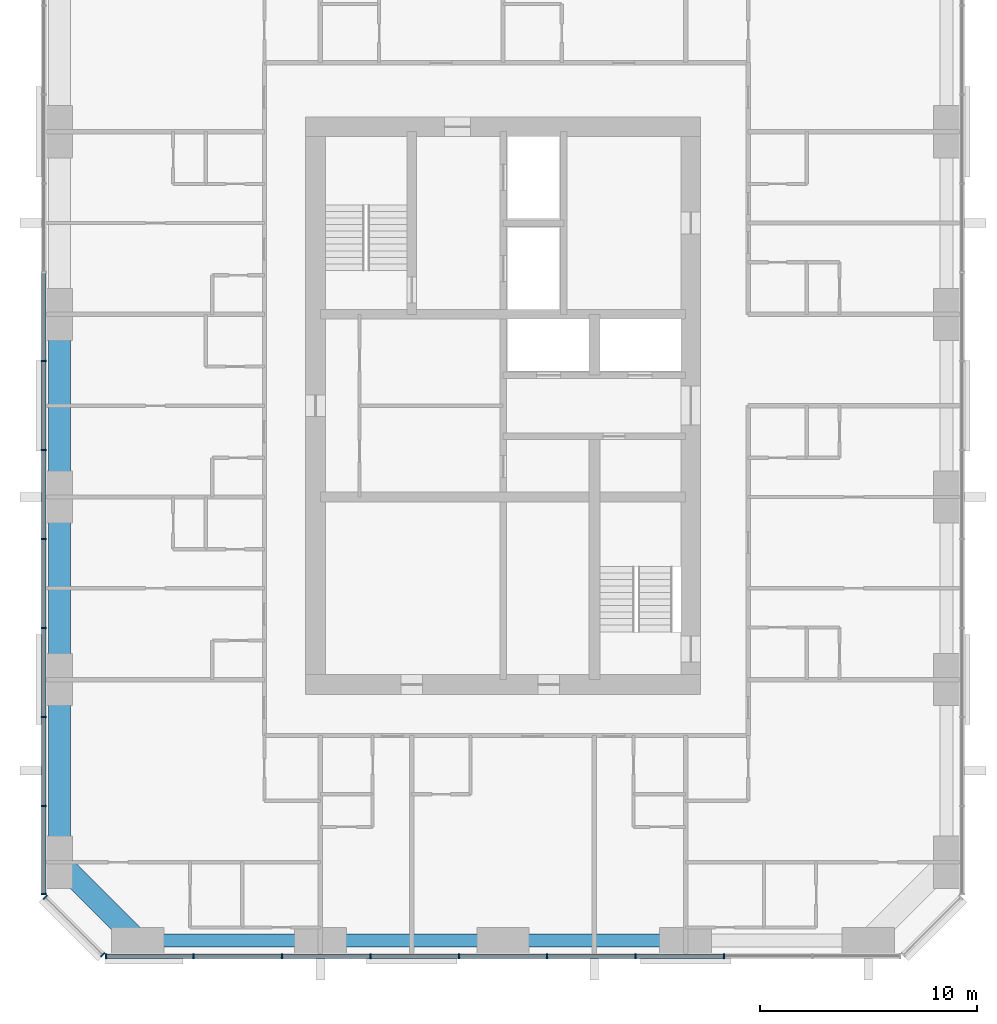
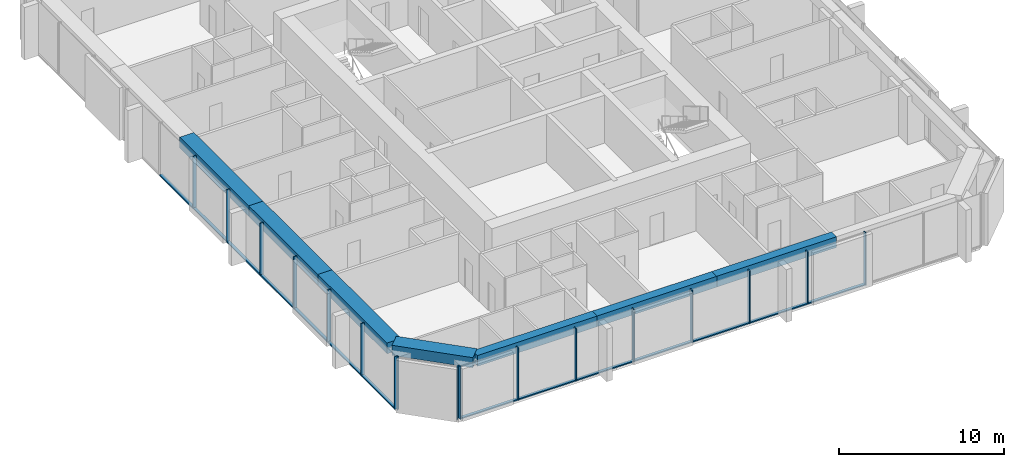
# One storey, part 2 of 12: 31 members, 7 beams, 3 elements without a shape of their own.
"""IFC4 building model written with IfcOpenShell, lengths in metres."""

from ifc_helpers import new_model, si_unit, direction, frame, origin, origin_2d, place, context, subcontext, project, spatial, rectangle, extrude, material, material_profile, profile_set, type_object, element, aggregate, save


model = new_model("IFC4")

# Units and contexts
model_context = context("Model", 3, precision=1e-05, world=origin(), true_north=direction((0.0, 1.0)))
body_context = subcontext(model_context, "Body", "Model", "MODEL_VIEW")
ifc_project = project(units=[si_unit("LENGTHUNIT", "METRE"), si_unit("AREAUNIT", "SQUARE_METRE"), si_unit("VOLUMEUNIT", "CUBIC_METRE"), si_unit("PLANEANGLEUNIT", "RADIAN"), si_unit("MASSUNIT", "GRAM", prefix="KILO")], contexts=[model_context])

# Site, building, storey
site_placement = place(None, origin())
site = spatial("IfcSite", under=ifc_project, at=site_placement, CompositionType="ELEMENT")
building_placement = place(site_placement, origin())
building = spatial("IfcBuilding", under=site, at=building_placement, Name="Dunama Terrace Hotel", CompositionType="ELEMENT")
storey_placement = place(building_placement, frame((0.0, 0.0, 233.39990234375)))
storey = spatial("IfcBuildingStorey", under=building, at=storey_placement, Name="L60", CompositionType="ELEMENT", Elevation=233.39990234375)

# Curtain wall, members
ifc_material_1 = material(Name="Aluminium curtain wall system", Category="aluminium")
curtain_wall_type = type_object("IfcCurtainWallType", Name="Unitised fritted glass wall CW-D", PredefinedType="NOTDEFINED", material=ifc_material_1)
curtain_wall_1_placement = place(storey_placement, origin())
curtain_wall_1 = element("IfcCurtainWall", 1, at=curtain_wall_1_placement, inside=storey, type_object=curtain_wall_type, Name="Unitised fritted glass wall CW-D L60", PredefinedType="NOTDEFINED")
ifc_material_2 = material(Name="Aluminium mullion", Category="aluminium")
ifc_material_profile_1 = material_profile(ifc_material_2, rectangle(XDim=0.070068359375, YDim=0.239990234375, at=origin_2d()), Name="CWD MULLION 70X240")
ifc_profile_set_1 = profile_set([ifc_material_profile_1], Name="Aluminium mullion")
member_type_1 = type_object("IfcMemberType", Name="CWD mullion 70x240", PredefinedType="MULLION", material=ifc_profile_set_1)
member_1_placement = place(storey_placement, frame((15.3349609375, 4.080078125, 0.0), z_axis=(0.0, 0.0, 1.0), x_axis=(1.0, 0.0, 0.0)))
member_1 = element("IfcMember", 2, at=member_1_placement, type_object=member_type_1, Name="CWD mullion", PredefinedType="MULLION", context=body_context, shape_type="SweptSolid", body=[
    extrude(rectangle(XDim=0.070068359375, YDim=0.239990234375, at=origin_2d()), origin(), (0.0, 0.0, 1.0), 3.900146484375),
])
member_2_placement = place(storey_placement, frame((19.366943359375, 4.080078125, 0.0), z_axis=(0.0, 0.0, 1.0), x_axis=(1.0, 0.0, 0.0)))
member_2 = element("IfcMember", 3, at=member_2_placement, type_object=member_type_1, Name="CWD mullion", PredefinedType="MULLION", context=body_context, shape_type="SweptSolid", body=[
    extrude(rectangle(XDim=0.070068359375, YDim=0.239990234375, at=origin_2d()), origin(), (0.0, 0.0, 1.0), 3.900146484375),
])
member_3_placement = place(storey_placement, frame((23.43310546875, 4.080078125, 0.0), z_axis=(0.0, 0.0, 1.0), x_axis=(1.0, 0.0, 0.0)))
member_3 = element("IfcMember", 4, at=member_3_placement, type_object=member_type_1, Name="CWD mullion", PredefinedType="MULLION", context=body_context, shape_type="SweptSolid", body=[
    extrude(rectangle(XDim=0.070068359375, YDim=0.239990234375, at=origin_2d()), origin(), (0.0, 0.0, 1.0), 3.900146484375),
])
member_4_placement = place(storey_placement, frame((27.5, 4.080078125, 0.0), z_axis=(0.0, 0.0, 1.0), x_axis=(1.0, 0.0, 0.0)))
member_4 = element("IfcMember", 5, at=member_4_placement, type_object=member_type_1, Name="CWD mullion", PredefinedType="MULLION", context=body_context, shape_type="SweptSolid", body=[
    extrude(rectangle(XDim=0.070068359375, YDim=0.239990234375, at=origin_2d()), origin(), (0.0, 0.0, 1.0), 3.900146484375),
])
member_5_placement = place(storey_placement, frame((31.56689453125, 4.080078125, 0.0), z_axis=(0.0, 0.0, 1.0), x_axis=(1.0, 0.0, 0.0)))
member_5 = element("IfcMember", 6, at=member_5_placement, type_object=member_type_1, Name="CWD mullion", PredefinedType="MULLION", context=body_context, shape_type="SweptSolid", body=[
    extrude(rectangle(XDim=0.070068359375, YDim=0.239990234375, at=origin_2d()), origin(), (0.0, 0.0, 1.0), 3.900146484375),
])
member_6_placement = place(storey_placement, frame((35.633056640625, 4.080078125, 0.0), z_axis=(0.0, 0.0, 1.0), x_axis=(1.0, 0.0, 0.0)))
member_6 = element("IfcMember", 7, at=member_6_placement, type_object=member_type_1, Name="CWD mullion", PredefinedType="MULLION", context=body_context, shape_type="SweptSolid", body=[
    extrude(rectangle(XDim=0.070068359375, YDim=0.239990234375, at=origin_2d()), origin(), (0.0, 0.0, 1.0), 3.900146484375),
])
member_7_placement = place(storey_placement, frame((39.699951171875, 4.080078125, 0.0), z_axis=(0.0, 0.0, 1.0), x_axis=(1.0, 0.0, 0.0)))
member_7 = element("IfcMember", 8, at=member_7_placement, type_object=member_type_1, Name="CWD mullion", PredefinedType="MULLION", context=body_context, shape_type="SweptSolid", body=[
    extrude(rectangle(XDim=0.070068359375, YDim=0.239990234375, at=origin_2d()), origin(), (0.0, 0.0, 1.0), 3.900146484375),
])
member_8_placement = place(storey_placement, frame((43.76708984375, 4.080078125, 0.0), z_axis=(0.0, 0.0, 1.0), x_axis=(1.0, 0.0, 0.0)))
member_8 = element("IfcMember", 9, at=member_8_placement, type_object=member_type_1, Name="CWD mullion", PredefinedType="MULLION", context=body_context, shape_type="SweptSolid", body=[
    extrude(rectangle(XDim=0.070068359375, YDim=0.239990234375, at=origin_2d()), origin(), (0.0, 0.0, 1.0), 3.900146484375),
])

curtain_wall_2_placement = place(storey_placement, origin())
curtain_wall_2 = element("IfcCurtainWall", 10, at=curtain_wall_2_placement, inside=storey, type_object=curtain_wall_type, Name="Unitised fritted glass wall CW-D L60", PredefinedType="NOTDEFINED")
member_9_placement = place(storey_placement, frame((12.47998046875, 31.445068359375, 0.0), z_axis=(0.0, 0.0, 1.0), x_axis=(0.0, -1.0, 0.0)))
member_9 = element("IfcMember", 11, at=member_9_placement, type_object=member_type_1, Name="CWD mullion", PredefinedType="MULLION", context=body_context, shape_type="SweptSolid", body=[
    extrude(rectangle(XDim=0.070068359375, YDim=0.239990234375, at=origin_2d()), origin(), (0.0, 0.0, 1.0), 3.900146484375),
])
member_10_placement = place(storey_placement, frame((12.47998046875, 27.35498046875, 0.0), z_axis=(0.0, 0.0, 1.0), x_axis=(0.0, -1.0, 0.0)))
member_10 = element("IfcMember", 12, at=member_10_placement, type_object=member_type_1, Name="CWD mullion", PredefinedType="MULLION", context=body_context, shape_type="SweptSolid", body=[
    extrude(rectangle(XDim=0.070068359375, YDim=0.239990234375, at=origin_2d()), origin(), (0.0, 0.0, 1.0), 3.900146484375),
])
member_11_placement = place(storey_placement, frame((12.47998046875, 23.263916015625, 0.0), z_axis=(0.0, 0.0, 1.0), x_axis=(0.0, -1.0, 0.0)))
member_11 = element("IfcMember", 13, at=member_11_placement, type_object=member_type_1, Name="CWD mullion", PredefinedType="MULLION", context=body_context, shape_type="SweptSolid", body=[
    extrude(rectangle(XDim=0.070068359375, YDim=0.239990234375, at=origin_2d()), origin(), (0.0, 0.0, 1.0), 3.900146484375),
])
member_12_placement = place(storey_placement, frame((12.47998046875, 19.173095703125, 0.0), z_axis=(0.0, 0.0, 1.0), x_axis=(0.0, -1.0, 0.0)))
member_12 = element("IfcMember", 14, at=member_12_placement, type_object=member_type_1, Name="CWD mullion", PredefinedType="MULLION", context=body_context, shape_type="SweptSolid", body=[
    extrude(rectangle(XDim=0.070068359375, YDim=0.239990234375, at=origin_2d()), origin(), (0.0, 0.0, 1.0), 3.900146484375),
])
member_13_placement = place(storey_placement, frame((12.47998046875, 15.08203125, 0.0), z_axis=(0.0, 0.0, 1.0), x_axis=(0.0, -1.0, 0.0)))
member_13 = element("IfcMember", 15, at=member_13_placement, type_object=member_type_1, Name="CWD mullion", PredefinedType="MULLION", context=body_context, shape_type="SweptSolid", body=[
    extrude(rectangle(XDim=0.070068359375, YDim=0.239990234375, at=origin_2d()), origin(), (0.0, 0.0, 1.0), 3.900146484375),
])
member_14_placement = place(storey_placement, frame((12.47998046875, 10.990966796875, 0.0), z_axis=(0.0, 0.0, 1.0), x_axis=(0.0, -1.0, 0.0)))
member_14 = element("IfcMember", 16, at=member_14_placement, type_object=member_type_1, Name="CWD mullion", PredefinedType="MULLION", context=body_context, shape_type="SweptSolid", body=[
    extrude(rectangle(XDim=0.070068359375, YDim=0.239990234375, at=origin_2d()), origin(), (0.0, 0.0, 1.0), 3.900146484375),
])
member_15_placement = place(storey_placement, frame((12.47998046875, 6.93505859375, 0.0), z_axis=(0.0, 0.0, 1.0), x_axis=(0.0, -1.0, 0.0)))
member_15 = element("IfcMember", 17, at=member_15_placement, type_object=member_type_1, Name="CWD mullion", PredefinedType="MULLION", context=body_context, shape_type="SweptSolid", body=[
    extrude(rectangle(XDim=0.070068359375, YDim=0.239990234375, at=origin_2d()), origin(), (0.0, 0.0, 1.0), 3.900146484375),
])

curtain_wall_3_placement = place(storey_placement, origin())
curtain_wall_3 = element("IfcCurtainWall", 18, at=curtain_wall_3_placement, inside=storey, type_object=curtain_wall_type, Name="Unitised fritted glass wall CW-D L60", PredefinedType="NOTDEFINED")
member_16_placement = place(storey_placement, frame((12.5400390625, 6.7900390625, 0.0), z_axis=(0.0, 0.0, 1.0), x_axis=(0.707106781187, -0.707106781187, 0.0)))
member_16 = element("IfcMember", 19, at=member_16_placement, type_object=member_type_1, Name="CWD mullion", PredefinedType="MULLION", context=body_context, shape_type="SweptSolid", body=[
    extrude(rectangle(XDim=0.070068359375, YDim=0.239990234375, at=origin_2d()), origin(), (0.0, 0.0, 1.0), 3.900146484375),
])
member_17_placement = place(storey_placement, frame((15.18994140625, 4.139892578125, 0.0), z_axis=(0.0, 0.0, 1.0), x_axis=(0.707106781187, -0.707106781187, 0.0)))
member_17 = element("IfcMember", 20, at=member_17_placement, type_object=member_type_1, Name="CWD mullion", PredefinedType="MULLION", context=body_context, shape_type="SweptSolid", body=[
    extrude(rectangle(XDim=0.070068359375, YDim=0.239990234375, at=origin_2d()), origin(), (0.0, 0.0, 1.0), 3.900146484375),
])
aggregate(curtain_wall_3, [member_16, member_17])

# Member
ifc_material_3 = material(Name="Aluminium transom", Category="aluminium")
ifc_material_profile_2 = material_profile(ifc_material_3, rectangle(XDim=0.199951171875, YDim=0.0849609375, at=origin_2d()), Name="CWD TRANSOM 200X85")
ifc_profile_set_2 = profile_set([ifc_material_profile_2], Name="Aluminium transom")
member_type_2 = type_object("IfcMemberType", Name="CWD transom 200x85", PredefinedType="USERDEFINED", material=ifc_profile_set_2)
member_18_placement = place(storey_placement, frame((15.3701171875, 4.080078125, 0.04248046875), z_axis=(1.0, 0.0, 0.0), x_axis=(0.0, 1.0, 0.0)))
member_18 = element("IfcMember", 21, at=member_18_placement, type_object=member_type_2, Name="CWD transom", ObjectType="TRANSOM", PredefinedType="USERDEFINED", context=body_context, shape_type="SweptSolid", body=[
    extrude(rectangle(XDim=0.199951171875, YDim=0.0849609375, at=origin_2d()), origin(), (0.0, 0.0, 1.0), 3.9619140625),
])

member_19_placement = place(storey_placement, frame((19.402099609375, 4.080078125, 0.04248046875), z_axis=(1.0, 0.0, 0.0), x_axis=(0.0, 1.0, 0.0)))
member_19 = element("IfcMember", 22, at=member_19_placement, type_object=member_type_2, Name="CWD transom", ObjectType="TRANSOM", PredefinedType="USERDEFINED", context=body_context, shape_type="SweptSolid", body=[
    extrude(rectangle(XDim=0.199951171875, YDim=0.0849609375, at=origin_2d()), origin(), (0.0, 0.0, 1.0), 3.995849609375),
])

member_20_placement = place(storey_placement, frame((23.468017578125, 4.080078125, 0.04248046875), z_axis=(1.0, 0.0, 0.0), x_axis=(0.0, 1.0, 0.0)))
member_20 = element("IfcMember", 23, at=member_20_placement, type_object=member_type_2, Name="CWD transom", ObjectType="TRANSOM", PredefinedType="USERDEFINED", context=body_context, shape_type="SweptSolid", body=[
    extrude(rectangle(XDim=0.199951171875, YDim=0.0849609375, at=origin_2d()), origin(), (0.0, 0.0, 1.0), 3.9970703125),
])

member_21_placement = place(storey_placement, frame((27.534912109375, 4.080078125, 0.04248046875), z_axis=(1.0, 0.0, 0.0), x_axis=(0.0, 1.0, 0.0)))
member_21 = element("IfcMember", 24, at=member_21_placement, type_object=member_type_2, Name="CWD transom", ObjectType="TRANSOM", PredefinedType="USERDEFINED", context=body_context, shape_type="SweptSolid", body=[
    extrude(rectangle(XDim=0.199951171875, YDim=0.0849609375, at=origin_2d()), origin(), (0.0, 0.0, 1.0), 3.9970703125),
])

member_22_placement = place(storey_placement, frame((31.60205078125, 4.080078125, 0.04248046875), z_axis=(1.0, 0.0, 0.0), x_axis=(0.0, 1.0, 0.0)))
member_22 = element("IfcMember", 25, at=member_22_placement, type_object=member_type_2, Name="CWD transom", ObjectType="TRANSOM", PredefinedType="USERDEFINED", context=body_context, shape_type="SweptSolid", body=[
    extrude(rectangle(XDim=0.199951171875, YDim=0.0849609375, at=origin_2d()), origin(), (0.0, 0.0, 1.0), 3.995849609375),
])

member_23_placement = place(storey_placement, frame((35.66796875, 4.080078125, 0.04248046875), z_axis=(1.0, 0.0, 0.0), x_axis=(0.0, 1.0, 0.0)))
member_23 = element("IfcMember", 26, at=member_23_placement, type_object=member_type_2, Name="CWD transom", ObjectType="TRANSOM", PredefinedType="USERDEFINED", context=body_context, shape_type="SweptSolid", body=[
    extrude(rectangle(XDim=0.199951171875, YDim=0.0849609375, at=origin_2d()), origin(), (0.0, 0.0, 1.0), 3.9970703125),
])

member_24_placement = place(storey_placement, frame((39.735107421875, 4.080078125, 0.04248046875), z_axis=(1.0, 0.0, 0.0), x_axis=(0.0, 1.0, 0.0)))
member_24 = element("IfcMember", 27, at=member_24_placement, type_object=member_type_2, Name="CWD transom", ObjectType="TRANSOM", PredefinedType="USERDEFINED", context=body_context, shape_type="SweptSolid", body=[
    extrude(rectangle(XDim=0.199951171875, YDim=0.0849609375, at=origin_2d()), origin(), (0.0, 0.0, 1.0), 3.996826171875),
])

aggregate(curtain_wall_1, [member_1, member_2, member_3, member_4, member_5, member_6, member_7, member_8, member_18, member_19, member_20, member_21, member_22, member_23, member_24])

member_25_placement = place(storey_placement, frame((12.47998046875, 35.5009765625, 0.04248046875), z_axis=(0.0, -1.0, 0.0), x_axis=(1.0, 0.0, 0.0)))
member_25 = element("IfcMember", 28, at=member_25_placement, type_object=member_type_2, Name="CWD transom", ObjectType="TRANSOM", PredefinedType="USERDEFINED", context=body_context, shape_type="SweptSolid", body=[
    extrude(rectangle(XDim=0.199951171875, YDim=0.0849609375, at=origin_2d()), origin(), (0.0, 0.0, 1.0), 4.02099609375),
])

member_26_placement = place(storey_placement, frame((12.47998046875, 31.409912109375, 0.04248046875), z_axis=(0.0, -1.0, 0.0), x_axis=(1.0, 0.0, 0.0)))
member_26 = element("IfcMember", 29, at=member_26_placement, type_object=member_type_2, Name="CWD transom", ObjectType="TRANSOM", PredefinedType="USERDEFINED", context=body_context, shape_type="SweptSolid", body=[
    extrude(rectangle(XDim=0.199951171875, YDim=0.0849609375, at=origin_2d()), origin(), (0.0, 0.0, 1.0), 4.02001953125),
])

member_27_placement = place(storey_placement, frame((12.47998046875, 27.320068359375, 0.04248046875), z_axis=(0.0, -1.0, 0.0), x_axis=(1.0, 0.0, 0.0)))
member_27 = element("IfcMember", 30, at=member_27_placement, type_object=member_type_2, Name="CWD transom", ObjectType="TRANSOM", PredefinedType="USERDEFINED", context=body_context, shape_type="SweptSolid", body=[
    extrude(rectangle(XDim=0.199951171875, YDim=0.0849609375, at=origin_2d()), origin(), (0.0, 0.0, 1.0), 4.02099609375),
])

member_28_placement = place(storey_placement, frame((12.47998046875, 23.22900390625, 0.04248046875), z_axis=(0.0, -1.0, 0.0), x_axis=(1.0, 0.0, 0.0)))
member_28 = element("IfcMember", 31, at=member_28_placement, type_object=member_type_2, Name="CWD transom", ObjectType="TRANSOM", PredefinedType="USERDEFINED", context=body_context, shape_type="SweptSolid", body=[
    extrude(rectangle(XDim=0.199951171875, YDim=0.0849609375, at=origin_2d()), origin(), (0.0, 0.0, 1.0), 4.02099609375),
])

member_29_placement = place(storey_placement, frame((12.47998046875, 19.137939453125, 0.04248046875), z_axis=(0.0, -1.0, 0.0), x_axis=(1.0, 0.0, 0.0)))
member_29 = element("IfcMember", 32, at=member_29_placement, type_object=member_type_2, Name="CWD transom", ObjectType="TRANSOM", PredefinedType="USERDEFINED", context=body_context, shape_type="SweptSolid", body=[
    extrude(rectangle(XDim=0.199951171875, YDim=0.0849609375, at=origin_2d()), origin(), (0.0, 0.0, 1.0), 4.02099609375),
])

member_30_placement = place(storey_placement, frame((12.47998046875, 15.047119140625, 0.04248046875), z_axis=(0.0, -1.0, 0.0), x_axis=(1.0, 0.0, 0.0)))
member_30 = element("IfcMember", 33, at=member_30_placement, type_object=member_type_2, Name="CWD transom", ObjectType="TRANSOM", PredefinedType="USERDEFINED", context=body_context, shape_type="SweptSolid", body=[
    extrude(rectangle(XDim=0.199951171875, YDim=0.0849609375, at=origin_2d()), origin(), (0.0, 0.0, 1.0), 4.021240234375),
])

member_31_placement = place(storey_placement, frame((12.47998046875, 10.9560546875, 0.04248046875), z_axis=(0.0, -1.0, 0.0), x_axis=(1.0, 0.0, 0.0)))
member_31 = element("IfcMember", 34, at=member_31_placement, type_object=member_type_2, Name="CWD transom", ObjectType="TRANSOM", PredefinedType="USERDEFINED", context=body_context, shape_type="SweptSolid", body=[
    extrude(rectangle(XDim=0.199951171875, YDim=0.0849609375, at=origin_2d()), origin(), (0.0, 0.0, 1.0), 3.986083984375),
])

aggregate(curtain_wall_2, [member_9, member_10, member_11, member_12, member_13, member_14, member_15, member_25, member_26, member_27, member_28, member_29, member_30, member_31])

# Beams
ifc_material_4 = material(Name="Concrete C50/60", Category="concrete")
ifc_material_profile_3 = material_profile(ifc_material_4, rectangle(XDim=1.0, YDim=0.75, at=origin_2d()), Name="RC 1000x750")
ifc_profile_set_3 = profile_set([ifc_material_profile_3], Name="Concrete C50/60")
beam_type_1 = type_object("IfcBeamType", Name="Edge beam RC 1000x750", PredefinedType="SPANDREL", material=ifc_profile_set_3)
beam_1_placement = place(storey_placement, frame((16.800048828125, 4.800048828125, 3.525146484375), z_axis=(-0.707130757816, 0.707082803744, 0.0), x_axis=(-0.707082803744, -0.707130757816, 0.0)))
element("IfcBeam", 35, at=beam_1_placement, inside=storey, type_object=beam_type_1, Name="Corner edge beam under L61", PredefinedType="SPANDREL", context=body_context, shape_type="SweptSolid", body=[
    extrude(rectangle(XDim=1.0, YDim=0.75, at=origin_2d()), origin(), (0.0, 0.0, 1.0), 5.091064453125),
])
ifc_material_5 = material(Name="Concrete C40/50", Category="concrete")
ifc_material_profile_4 = material_profile(ifc_material_5, rectangle(XDim=1.0, YDim=0.800048828125, at=origin_2d()), Name="RC 1000x800")
ifc_profile_set_4 = profile_set([ifc_material_profile_4], Name="Concrete C40/50")
beam_type_2 = type_object("IfcBeamType", Name="Edge beam RC 1000x800", PredefinedType="SPANDREL", material=ifc_profile_set_4)
beam_2_placement = place(storey_placement, frame((13.199951171875, 8.39990234375, 3.5), z_axis=(0.0, 1.0, 0.0), x_axis=(-1.0, 0.0, 0.0)))
element("IfcBeam", 36, at=beam_2_placement, inside=storey, type_object=beam_type_2, Name="Edge beam under L61", PredefinedType="SPANDREL", context=body_context, shape_type="SweptSolid", body=[
    extrude(rectangle(XDim=1.0, YDim=0.800048828125, at=origin_2d()), origin(), (0.0, 0.0, 1.0), 8.400146484375),
])
beam_3_placement = place(storey_placement, frame((13.199951171875, 16.800048828125, 3.5), z_axis=(0.0, 1.0, 0.0), x_axis=(-1.0, 0.0, 0.0)))
element("IfcBeam", 37, at=beam_3_placement, inside=storey, type_object=beam_type_2, Name="Edge beam under L61", PredefinedType="SPANDREL", context=body_context, shape_type="SweptSolid", body=[
    extrude(rectangle(XDim=1.0, YDim=0.800048828125, at=origin_2d()), origin(), (0.0, 0.0, 1.0), 8.39990234375),
])
beam_4_placement = place(storey_placement, frame((13.199951171875, 25.199951171875, 3.5), z_axis=(0.0, 1.0, 0.0), x_axis=(-1.0, 0.0, 0.0)))
element("IfcBeam", 38, at=beam_4_placement, inside=storey, type_object=beam_type_2, Name="Edge beam under L61", PredefinedType="SPANDREL", context=body_context, shape_type="SweptSolid", body=[
    extrude(rectangle(XDim=1.0, YDim=0.800048828125, at=origin_2d()), origin(), (0.0, 0.0, 1.0), 8.400146484375),
])
ifc_material_6 = material(Name="Concrete C40/50", Category="concrete")
ifc_material_profile_5 = material_profile(ifc_material_6, rectangle(XDim=0.60009765625, YDim=0.800048828125, at=origin_2d()), Name="RC 600x800")
ifc_profile_set_5 = profile_set([ifc_material_profile_5], Name="Concrete C40/50")
beam_type_3 = type_object("IfcBeamType", Name="Edge beam RC 600x800", PredefinedType="SPANDREL", material=ifc_profile_set_5)
beam_5_placement = place(storey_placement, frame((16.800048828125, 4.800048828125, 3.5), z_axis=(1.0, 0.0, 0.0), x_axis=(0.0, 1.0, 0.0)))
element("IfcBeam", 39, at=beam_5_placement, inside=storey, type_object=beam_type_3, Name="Edge beam under L61", PredefinedType="SPANDREL", context=body_context, shape_type="SweptSolid", body=[
    extrude(rectangle(XDim=0.60009765625, YDim=0.800048828125, at=origin_2d()), origin(), (0.0, 0.0, 1.0), 8.39990234375),
])
beam_6_placement = place(storey_placement, frame((25.199951171875, 4.800048828125, 3.5), z_axis=(1.0, 0.0, 0.0), x_axis=(0.0, 1.0, 0.0)))
element("IfcBeam", 40, at=beam_6_placement, inside=storey, type_object=beam_type_3, Name="Edge beam under L61", PredefinedType="SPANDREL", context=body_context, shape_type="SweptSolid", body=[
    extrude(rectangle(XDim=0.60009765625, YDim=0.800048828125, at=origin_2d()), origin(), (0.0, 0.0, 1.0), 8.400146484375),
])
beam_7_placement = place(storey_placement, frame((33.60009765625, 4.800048828125, 3.5), z_axis=(1.0, 0.0, 0.0), x_axis=(0.0, 1.0, 0.0)))
element("IfcBeam", 41, at=beam_7_placement, inside=storey, type_object=beam_type_3, Name="Edge beam under L61", PredefinedType="SPANDREL", context=body_context, shape_type="SweptSolid", body=[
    extrude(rectangle(XDim=0.60009765625, YDim=0.800048828125, at=origin_2d()), origin(), (0.0, 0.0, 1.0), 8.39990234375),
])

save(model, "model.ifc")
